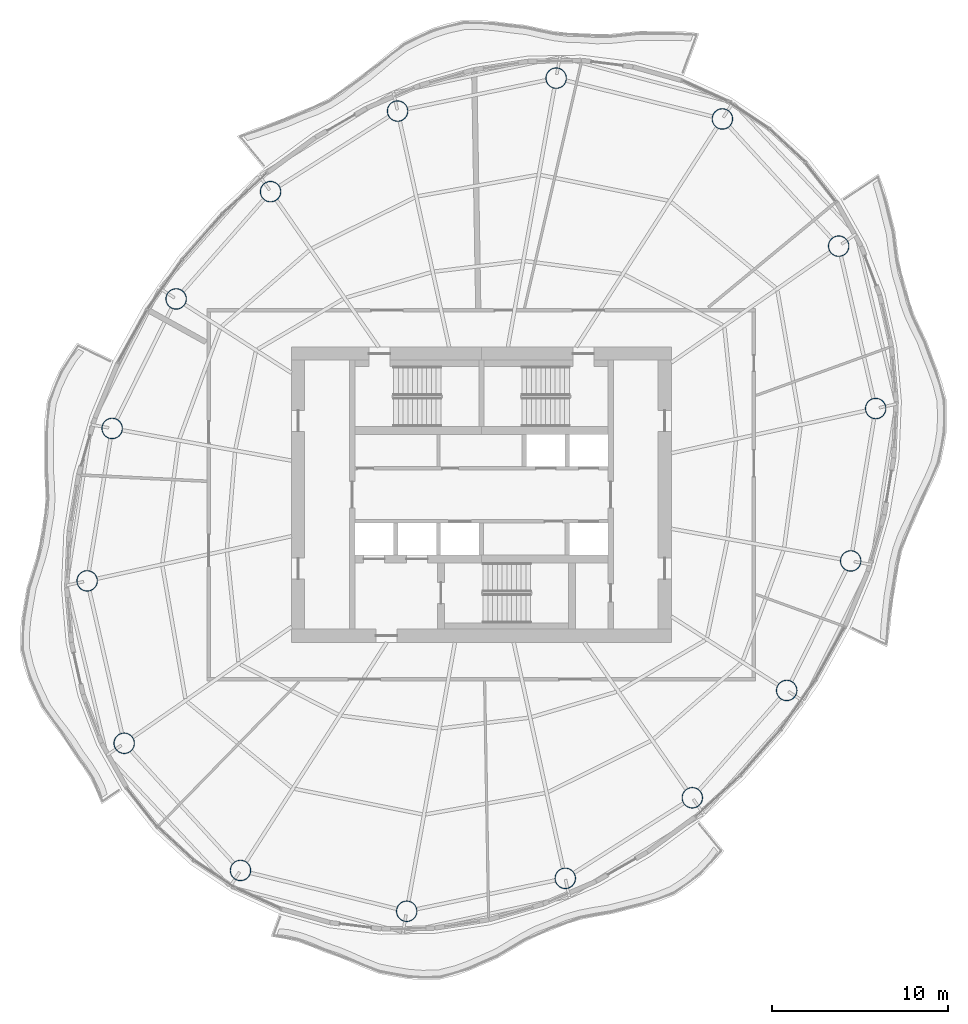
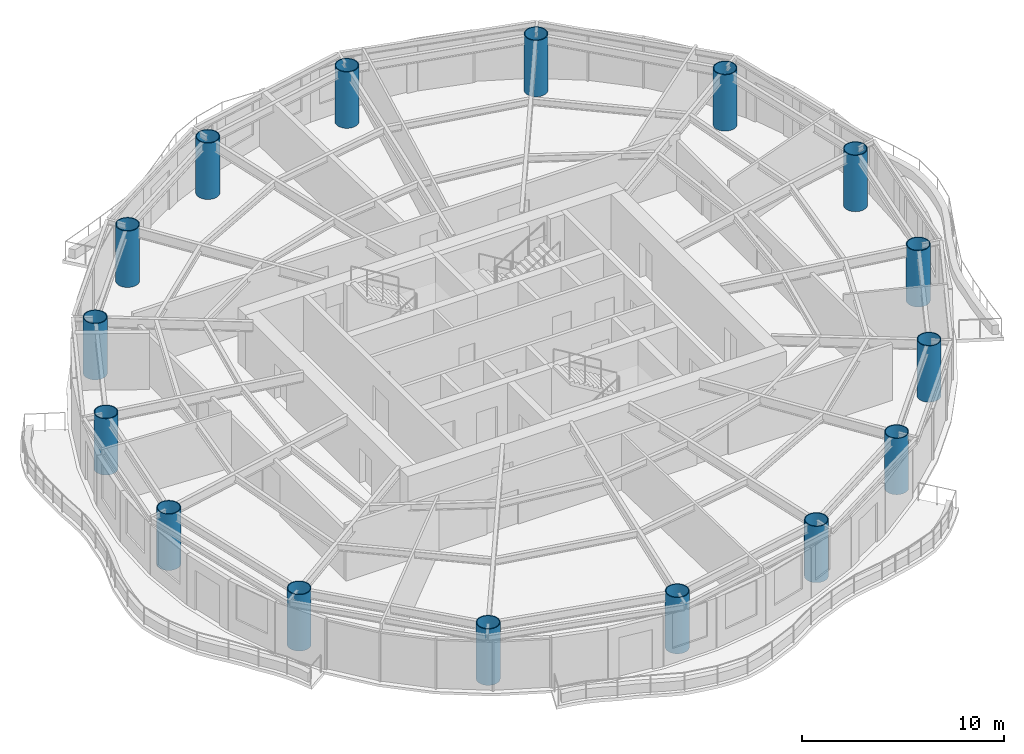
# One storey, part 1 of 14: 16 columns.
"""IFC4 building model written with IfcOpenShell, lengths in metres."""

from ifc_helpers import new_model, si_unit, direction, frame, origin, origin_2d, place, context, subcontext, project, spatial, hollow_circle, extrude, material, material_profile, profile_set, type_object, element, save


model = new_model("IFC4")

# Units and contexts
model_context = context("Model", 3, precision=1e-05, world=origin(), true_north=direction((0.0, 1.0)))
body_context = subcontext(model_context, "Body", "Model", "MODEL_VIEW")
ifc_project = project(units=[si_unit("LENGTHUNIT", "METRE"), si_unit("AREAUNIT", "SQUARE_METRE"), si_unit("VOLUMEUNIT", "CUBIC_METRE"), si_unit("PLANEANGLEUNIT", "RADIAN"), si_unit("MASSUNIT", "GRAM", prefix="KILO")], contexts=[model_context])

# Site, building, storey
site_placement = place(None, origin())
site = spatial("IfcSite", under=ifc_project, at=site_placement, CompositionType="ELEMENT")
building_placement = place(site_placement, origin())
building = spatial("IfcBuilding", under=site, at=building_placement, Name="Vermilion Reach Broadcast Tower", CompositionType="ELEMENT")
storey_placement = place(building_placement, frame((0.0, 0.0, 238.89990234375)))
storey = spatial("IfcBuildingStorey", under=building, at=storey_placement, Name="L59", CompositionType="ELEMENT", Elevation=238.89990234375)

# Columns
ifc_material = material(Name="Concrete C60 infill in steel S460NL tube", Category="concrete")
ifc_material_profile = material_profile(ifc_material, hollow_circle(Radius=0.60009765625, WallThickness=0.044921875, at=origin_2d()), Name="Concrete C60 infill in steel S460NL tube CFT 1200x45")
ifc_profile_set = profile_set([ifc_material_profile], Name="Concrete C60 infill in steel S460NL tube")
column_type = type_object("IfcColumnType", Name="MC4 CFT 1200x45", PredefinedType="COLUMN", material=ifc_profile_set)
for number, where, z_axis, x_axis, name in (
    (1, (7.70361328125, 21.3701171875, 0.0), (0.0, 0.0, 1.0), (1.0, 0.0, 0.0), "Mega-column MC4-01"),
    (2, (-1.75, 23.691162109375, 0.0), (0.0, 0.0, 1.0), (1.0, 0.0, 0.0), "Mega-column MC4-02"),
    (3, (-10.769287109375, 21.818603515625, 0.0), (0.0, 0.0, 1.0), (1.0, 0.0, 0.0), "Mega-column MC4-03"),
    (4, (-17.993408203125, 17.23681640625, 0.0), (0.0, 0.0, 1.0), (1.0, 0.0, 0.0), "Mega-column MC4-04"),
    (5, (-23.36279296875, 11.134033203125, 0.0), (0.0, 0.0, 1.0), (1.0, 0.0, 0.0), "Mega-column MC4-05"),
    (6, (-27.002685546875, 3.767578125, 0.0), (0.0, 0.0, 1.0), (1.0, 0.0, 0.0), "Mega-column MC4-06"),
    (7, (-28.423828125, -4.9013671875, 0.0), (0.0, 0.0, 1.0), (1.0, 0.0, 0.0), "Mega-column MC4-07"),
    (8, (-26.318115234375, -14.13720703125, 0.0), (0.0, 0.0, 1.0), (1.0, 0.0, 0.0), "Mega-column MC4-08"),
    (9, (-19.70361328125, -21.3701171875, 0.0), (0.0, 0.0, 1.0), (1.0, 0.0, 0.0), "Mega-column MC4-09"),
    (10, (-10.25, -23.691162109375, 0.0), (0.0, 0.0, 1.0), (1.0, 0.0, 0.0), "Mega-column MC4-10"),
    (11, (-1.230712890625, -21.818603515625, 0.0), (0.0, 0.0, 1.0), (1.0, 0.0, 0.0), "Mega-column MC4-11"),
    (12, (5.993408203125, -17.23681640625, 0.0), (0.0, 0.0, 1.0), (1.0, 0.0, 0.0), "Mega-column MC4-12"),
    (13, (11.36279296875, -11.134033203125, 0.0), (0.0, 0.0, 1.0), (1.0, 0.0, 0.0), "Mega-column MC4-13"),
    (14, (15.002685546875, -3.767578125, 0.0), (0.0, 0.0, 1.0), (1.0, 0.0, 0.0), "Mega-column MC4-14"),
    (15, (16.423828125, 4.9013671875, 0.0), (0.0, 0.0, 1.0), (1.0, 0.0, 0.0), "Mega-column MC4-15"),
    (16, (14.318115234375, 14.13720703125, 0.0), (0.0, 0.0, 1.0), (1.0, 0.0, 0.0), "Mega-column MC4-16"),
):
    element("IfcColumn", number, at=place(storey_placement, frame(where, z_axis=z_axis, x_axis=x_axis)), inside=storey, type_object=column_type, Name=name, PredefinedType="COLUMN", context=body_context, shape_type="SweptSolid", body=[
        extrude(hollow_circle(Radius=0.60009765625, WallThickness=0.044921875, at=origin_2d()), origin(), (0.0, 0.0, 1.0), 3.400146484375),
    ])

save(model, "model.ifc")
